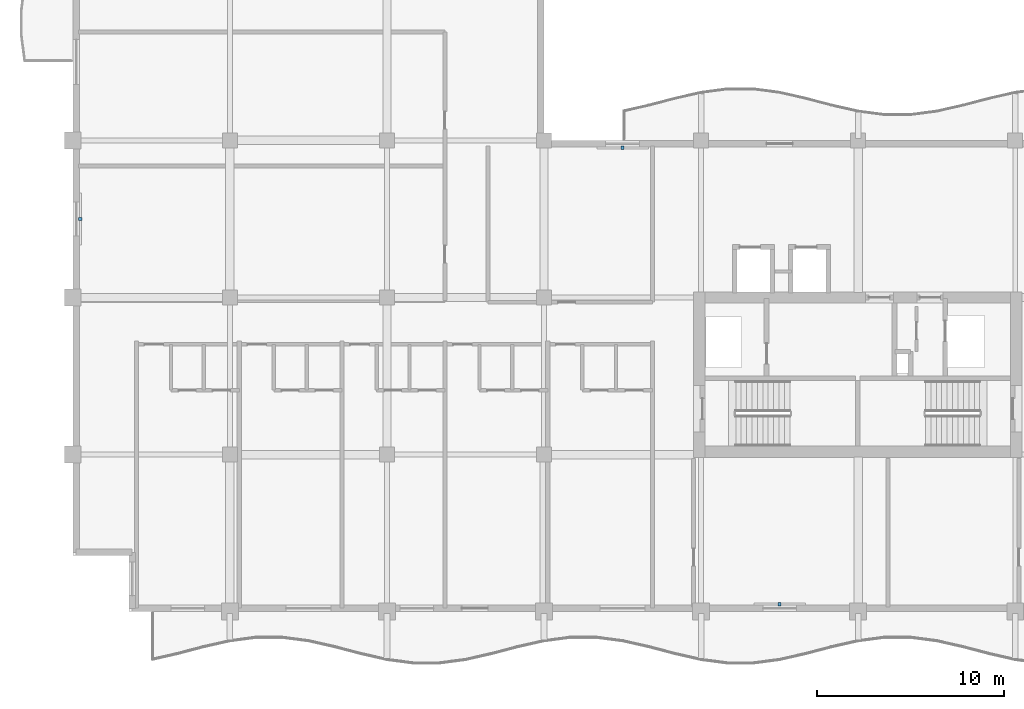
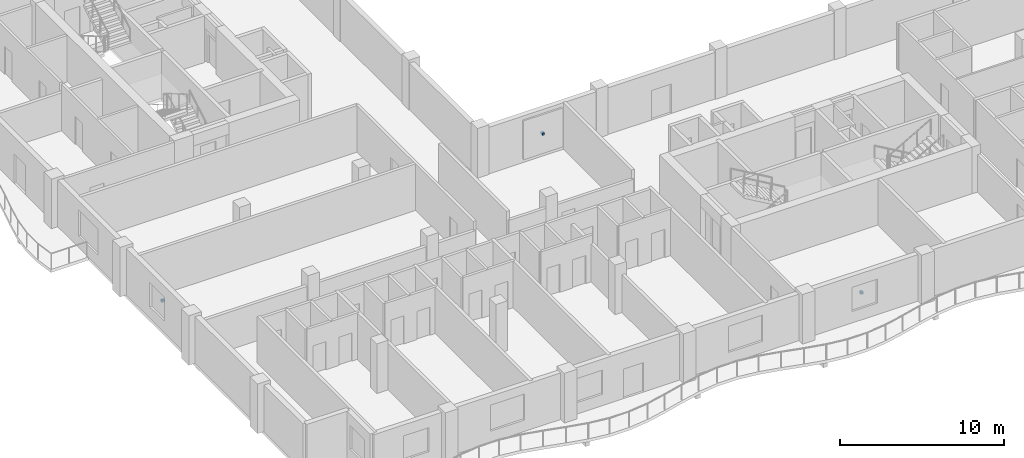
# One storey, part 9 of 12: 3 discrete accessories.
"""IFC4 building model written with IfcOpenShell, lengths in metres."""

from ifc_helpers import new_model, si_unit, direction, frame, origin, origin_2d, place, context, subcontext, project, spatial, rectangle, extrude, material, type_object, element, save


model = new_model("IFC4")

# Units and contexts
model_context = context("Model", 3, precision=1e-05, world=origin(), true_north=direction((0.0, 1.0)))
body_context = subcontext(model_context, "Body", "Model", "MODEL_VIEW")
ifc_project = project(units=[si_unit("LENGTHUNIT", "METRE"), si_unit("AREAUNIT", "SQUARE_METRE"), si_unit("VOLUMEUNIT", "CUBIC_METRE"), si_unit("PLANEANGLEUNIT", "RADIAN"), si_unit("MASSUNIT", "GRAM", prefix="KILO")], contexts=[model_context])

# Site, building, storey
site_placement = place(None, origin())
site = spatial("IfcSite", under=ifc_project, at=site_placement, CompositionType="ELEMENT")
building_placement = place(site_placement, origin())
building = spatial("IfcBuilding", under=site, at=building_placement, Name="Koriwani Terraces Tower", CompositionType="ELEMENT")
storey_placement = place(building_placement, frame((0.0, 0.0, 278.60009765625)))
storey = spatial("IfcBuildingStorey", under=building, at=storey_placement, Name="L69", CompositionType="ELEMENT", Elevation=278.60009765625)

# Discrete accessories
ifc_material = material(Name="Steel ASTM A572 Grade 50", Category="steel")
discrete_accessory_type = type_object("IfcDiscreteAccessoryType", Name="BAGUETTE_STANDOFF_BRACKET", PredefinedType="BRACKET", material=ifc_material)
for number, where, z_axis, x_axis, name in (
    (1, (8.7900390625, 29.39990234375, 1.64501953125), (0.0, 0.0, 1.0), (0.0, 1.0, 0.0), "L69 Terracotta Baguette Bracket (W-6)"),
    (2, (37.800048828125, 33.2099609375, 1.64501953125), (0.0, 0.0, 1.0), (1.0, 0.0, 0.0), "L69 Terracotta Baguette Bracket (NE-2)"),
    (3, (46.199951171875, 8.7900390625, 1.64501953125), (0.0, 0.0, 1.0), (-1.0, 0.0, 0.0), "L69 Terracotta Baguette Bracket (S-12)"),
):
    element("IfcDiscreteAccessory", number, at=place(storey_placement, frame(where, z_axis=z_axis, x_axis=x_axis)), inside=storey, type_object=discrete_accessory_type, Name=name, PredefinedType="BRACKET", context=body_context, shape_type="SweptSolid", body=[
        extrude(rectangle(XDim=0.159912109375, YDim=0.199951171875, at=origin_2d()), origin(), (0.0, 0.0, 1.0), 0.179931640625),
    ])

save(model, "model.ifc")
